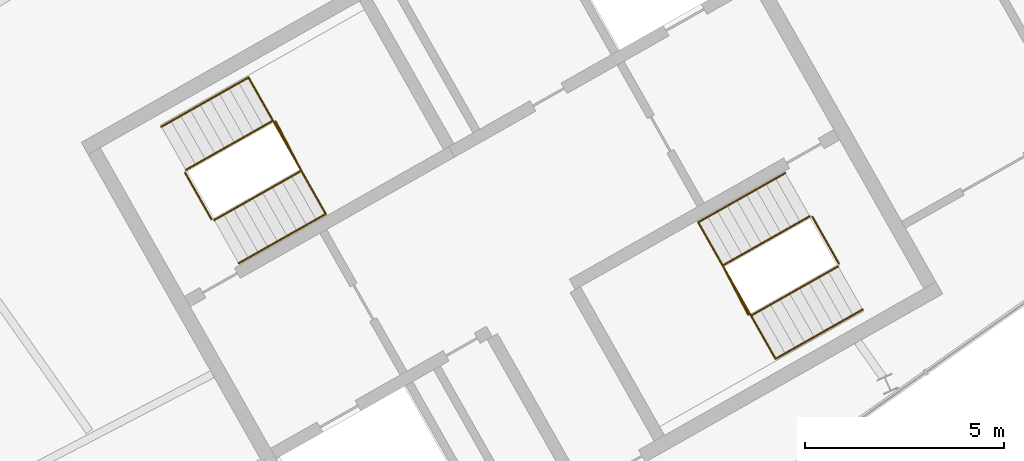
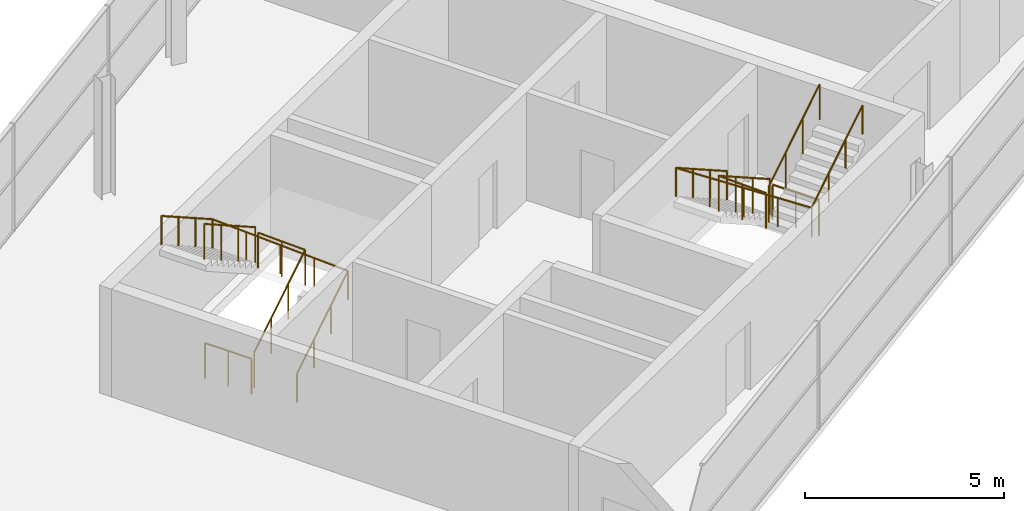
# One storey, part 10 of 10: 8 railings.
"""IFC4 building model written with IfcOpenShell, lengths in metres."""

import ifcopenshell
import ifcopenshell.guid

model = None  # the IFC model being written
_history = None  # IfcOwnerHistory: only IFC2X3 demands one
_inside = {}  # id of a spatial element -> (the spatial element, [elements in it])
_under = {}  # id of a project, library or spatial element -> (it, [spatial elements below it])
_declared = {}  # id of a project -> (the project, [libraries it declares])
_typed = {}  # id of a type object -> (the type object, [elements of that type])
_made_of = {}  # id of a material, layer set ... -> (it, [elements and type objects made of it])


def new_model(schema):
    """Start an empty IFC model of exactly this schema.

    Asked for "IFC4X3", IfcOpenShell would pick the latest addendum, in which some entities
    have other attributes; the version numbers below select the first issue.
    IFC2X3 requires an IfcOwnerHistory on every rooted entity: one is made here for all.
    """
    global model, _history
    if schema == "IFC4X3":
        model = ifcopenshell.file(schema_version=(4, 3, 0, 0))
    else:
        model = ifcopenshell.file(schema=schema)
    _inside.clear()
    _under.clear()
    _declared.clear()
    _typed.clear()
    _made_of.clear()
    _history = None
    if model.schema == "IFC2X3":
        org = make("IfcOrganization", Name="unknown")
        user = make(
            "IfcPersonAndOrganization",
            ThePerson=make("IfcPerson", FamilyName="unknown"),
            TheOrganization=org,
        )
        app = make(
            "IfcApplication",
            ApplicationDeveloper=org,
            Version="unknown",
            ApplicationFullName="unknown",
            ApplicationIdentifier="unknown",
        )
        _history = make(
            "IfcOwnerHistory",
            OwningUser=user,
            OwningApplication=app,
            ChangeAction="ADDED",
            CreationDate=0,
        )
    return model


def make(cls, **values):
    """One entity of the class cls with the attributes given. An attribute that is None is left unset."""
    return model.create_entity(
        cls, **{name: value for name, value in values.items() if value is not None}
    )


def rooted(cls, **values):
    """An entity with a GlobalId (a new one), such as an element, a storey or a relation."""
    return make(cls, GlobalId=ifcopenshell.guid.new(), OwnerHistory=_history, **values)


def si_unit(unit_type, name, prefix=None):
    """IfcSIUnit, for example si_unit("LENGTHUNIT", "METRE", prefix="MILLI")."""
    return make("IfcSIUnit", UnitType=unit_type, Prefix=prefix, Name=name)


def assignment(units):
    """IfcUnitAssignment: the units of a project."""
    return None if units is None else make("IfcUnitAssignment", Units=units)


def point(xyz):
    """IfcCartesianPoint."""
    return None if xyz is None else make("IfcCartesianPoint", Coordinates=xyz)


def direction(xyz):
    """IfcDirection."""
    return None if xyz is None else make("IfcDirection", DirectionRatios=xyz)


def frame(location, z_axis=None, x_axis=None):
    """IfcAxis2Placement3D, a coordinate frame: its origin and axes. An axis left out is left unset."""
    return make(
        "IfcAxis2Placement3D",
        Location=point(location),
        Axis=direction(z_axis),
        RefDirection=direction(x_axis),
    )


def frame_2d(location, x_axis=None):
    """IfcAxis2Placement2D, a coordinate frame in the plane: its origin and x axis."""
    return make(
        "IfcAxis2Placement2D", Location=point(location), RefDirection=direction(x_axis)
    )


def origin():
    """The frame at (0, 0, 0) with its axes left unset."""
    return frame((0.0, 0.0, 0.0))


def origin_2d():
    """The frame at (0, 0) in the plane with its x axis left unset."""
    return frame_2d((0.0, 0.0))


def place(relative_to, where):
    """IfcLocalPlacement: puts the frame where relative to a parent placement (None: the world)."""
    return make(
        "IfcLocalPlacement", PlacementRelTo=relative_to, RelativePlacement=where
    )


def context(
    kind, dimensions, precision=None, world=None, true_north=None, identifier=None
):
    """IfcGeometricRepresentationContext, for example the 3D "Model" context."""
    return make(
        "IfcGeometricRepresentationContext",
        ContextIdentifier=identifier,
        ContextType=kind,
        CoordinateSpaceDimension=dimensions,
        Precision=precision,
        WorldCoordinateSystem=world,
        TrueNorth=true_north,
    )


def subcontext(parent, identifier, kind, view, scale=None):
    """IfcGeometricRepresentationSubContext, for example "Body" below "Model"."""
    return make(
        "IfcGeometricRepresentationSubContext",
        ContextIdentifier=identifier,
        ContextType=kind,
        ParentContext=parent,
        TargetScale=scale,
        TargetView=view,
    )


def project(units=None, contexts=None):
    """IfcProject with its units and contexts."""
    return rooted(
        "IfcProject",
        Name="project",
        RepresentationContexts=contexts,
        UnitsInContext=assignment(units),
    )


def spatial(cls, under=None, at=None, **own):
    """A site, building, storey or space (cls), placed at a placement, below another one or the project."""
    s = rooted(cls, ObjectPlacement=at, **own)
    if under is not None:
        _under.setdefault(under.id(), (under, []))[1].append(s)
    return s


def profile(cls, at=None, kind="AREA", **sizes):
    """A parametric profile (cls). Its sizes go by their IFC names, for example OverallWidth=200.0."""
    return make(cls, ProfileType=kind, Position=at, **sizes)


def circle(**sizes):
    """IfcCircleProfileDef."""
    return profile("IfcCircleProfileDef", **sizes)


def extrude(swept, where, along, depth):
    """IfcExtrudedAreaSolid: the profile swept, set in the frame where, extruded along a direction by depth."""
    return make(
        "IfcExtrudedAreaSolid",
        SweptArea=swept,
        Position=where,
        ExtrudedDirection=direction(along),
        Depth=depth,
    )


def shape(context_of_items, identifier, shape_type, items):
    """IfcShapeRepresentation: the items that make up one representation, for example the "Body"."""
    return make(
        "IfcShapeRepresentation",
        ContextOfItems=context_of_items,
        RepresentationIdentifier=identifier,
        RepresentationType=shape_type,
        Items=items,
    )


def material(Name=None, Category=None):
    """IfcMaterial."""
    return make("IfcMaterial", Name=Name, Category=Category)


def made_of(thing, what):
    """Note that an element or type object is made of a material, layer set ...; save() writes the relation."""
    if what is not None:
        _made_of.setdefault(what.id(), (what, []))[1].append(thing)
    return thing


def type_object(cls, material=None, **own):
    """A type object (cls), such as IfcWallType, which elements share."""
    return made_of(rooted(cls, **own), material)


def element(
    cls,
    number,
    at=None,
    inside=None,
    cuts=None,
    type_object=None,
    material=None,
    context=None,
    identifier="Body",
    shape_type=None,
    held_by="IfcProductDefinitionShape",
    body=None,
    shapes=None,
    **own,
):
    """One element of the class cls, such as IfcWall. Its Tag is "e" and its number.

    at: its placement. inside: the storey or other place that contains it. cuts: it is an
    opening in that element (IfcRelVoidsElement). A single representation is given by context,
    identifier, shape_type and body (its items); several are given by shapes. held_by: the class
    of the entity that holds the representations. save() writes the other relations.
    """
    e = rooted(cls, Tag="e%d" % number, ObjectPlacement=at, **own)
    if body is not None:
        shapes = [shape(context, identifier, shape_type, body)]
    if shapes is not None:
        e.Representation = make(held_by, Representations=shapes)
    if inside is not None:
        _inside.setdefault(inside.id(), (inside, []))[1].append(e)
    if cuts is not None:
        rooted(
            "IfcRelVoidsElement", RelatingBuildingElement=cuts, RelatedOpeningElement=e
        )
    if type_object is not None:
        _typed.setdefault(type_object.id(), (type_object, []))[1].append(e)
    return made_of(e, material)


def aggregate(whole, parts):
    """IfcRelAggregates: a whole, such as a stair, and the parts it consists of."""
    return rooted("IfcRelAggregates", RelatingObject=whole, RelatedObjects=parts)


def save(model, path):
    """Write the relations noted so far, then the file.

    IfcRelAggregates (storeys below a building ...), IfcRelContainedInSpatialStructure (elements
    in a storey), IfcRelDefinesByType, IfcRelAssociatesMaterial and IfcRelDeclares: one each for
    every whole, place, type object, material and project.
    """
    for whole, parts in _under.values():
        aggregate(whole, parts)
    for where, things in _inside.values():
        rooted(
            "IfcRelContainedInSpatialStructure",
            RelatedElements=things,
            RelatingStructure=where,
        )
    for kind, things in _typed.values():
        rooted("IfcRelDefinesByType", RelatedObjects=things, RelatingType=kind)
    for what, things in _made_of.values():
        rooted("IfcRelAssociatesMaterial", RelatedObjects=things, RelatingMaterial=what)
    for by, libraries in _declared.values():
        rooted("IfcRelDeclares", RelatingContext=by, RelatedDefinitions=libraries)
    model.write(path)


model = new_model("IFC4")

# Units and contexts
model_context = context("Model", 3, precision=1e-05, world=origin(), true_north=direction((0.0, 1.0)))
body_context = subcontext(model_context, "Body", "Model", "MODEL_VIEW")
ifc_project = project(units=[si_unit("LENGTHUNIT", "METRE"), si_unit("AREAUNIT", "SQUARE_METRE"), si_unit("VOLUMEUNIT", "CUBIC_METRE"), si_unit("PLANEANGLEUNIT", "RADIAN"), si_unit("MASSUNIT", "GRAM", prefix="KILO")], contexts=[model_context])

# Site, building, storey
site_placement = place(None, origin())
site = spatial("IfcSite", under=ifc_project, at=site_placement, CompositionType="ELEMENT")
building_placement = place(site_placement, origin())
building = spatial("IfcBuilding", under=site, at=building_placement, Name="Binnacle Exchange Tower", CompositionType="ELEMENT")
storey_placement = place(building_placement, frame((0.0, 0.0, 364.89990234375)))
storey = spatial("IfcBuildingStorey", under=building, at=storey_placement, Name="L84", CompositionType="ELEMENT", Elevation=364.89990234375)

# Railings
ifc_material_1 = material(Name="Steel guard rail", Category="steel")
railing_type_1 = type_object("IfcRailingType", Name="STAIR GUARD 1100", PredefinedType="GUARDRAIL", material=ifc_material_1)
railing_1_placement = place(storey_placement, frame((-43.26171875, 39.71728515625, 0.18017578125)))
element("IfcRailing", 1, at=railing_1_placement, inside=storey, type_object=railing_type_1, Name="L84 STA1 stair guard 1", PredefinedType="GUARDRAIL", context=body_context, shape_type="SweptSolid", body=[
    extrude(circle(Radius=0.02392578125, at=origin_2d()), frame((0.0, 0.0, 1.076171875), z_axis=(0.73214499886, 0.414235644391, 0.540714833864), x_axis=(-0.492430705092, 0.870351653461, 0.0)), (0.0, 0.0, 1.0), 2.995849609375),
    extrude(circle(Radius=0.02392578125, at=origin_2d()), frame((2.193359375, 1.240966796875, 2.69580078125), z_axis=(-0.461100321709, 0.887348011391, 0.0), x_axis=(-0.887348011391, -0.461100321709, 0.0)), (0.0, 0.0, 1.0), 1.40087890625),
    extrude(circle(Radius=0.02099609375, at=origin_2d()), origin(), (0.0, 0.0, 1.0), 1.052001953125),
    extrude(circle(Radius=0.02099609375, at=origin_2d()), frame((0.731201171875, 0.41357421875, 0.5400390625)), (0.0, 0.0, 1.0), 1.052001953125),
    extrude(circle(Radius=0.02099609375, at=origin_2d()), frame((1.462158203125, 0.827392578125, 1.079833984375)), (0.0, 0.0, 1.0), 1.052001953125),
    extrude(circle(Radius=0.02099609375, at=origin_2d()), frame((2.193359375, 1.240966796875, 1.619873046875)), (0.0, 0.0, 1.0), 1.052001953125),
    extrude(circle(Radius=0.02099609375, at=origin_2d()), frame((1.870361328125, 1.862548828125, 1.619873046875)), (0.0, 0.0, 1.0), 1.052001953125),
    extrude(circle(Radius=0.02099609375, at=origin_2d()), frame((1.54736328125, 2.484130859375, 1.619873046875)), (0.0, 0.0, 1.0), 1.052001953125),
])
railing_2_placement = place(storey_placement, frame((-41.782470703125, 42.22021484375, 1.97998046875)))
element("IfcRailing", 2, at=railing_2_placement, inside=storey, type_object=railing_type_1, Name="L84 STA1 stair guard 2", PredefinedType="GUARDRAIL", context=body_context, shape_type="SweptSolid", body=[
    extrude(circle(Radius=0.02392578125, at=origin_2d()), frame((0.0, 0.0, 1.076171875), z_axis=(-0.732112736453, -0.41421739085, 0.540772497674), x_axis=(0.492430705092, -0.870351653461, 0.0)), (0.0, 0.0, 1.0), 2.995849609375),
    extrude(circle(Radius=0.02099609375, at=origin_2d()), origin(), (0.0, 0.0, 1.0), 1.052001953125),
    extrude(circle(Radius=0.02099609375, at=origin_2d()), frame((-0.731201171875, -0.41357421875, 0.5400390625)), (0.0, 0.0, 1.0), 1.052001953125),
    extrude(circle(Radius=0.02099609375, at=origin_2d()), frame((-1.462158203125, -0.827392578125, 1.080078125)), (0.0, 0.0, 1.0), 1.052001953125),
    extrude(circle(Radius=0.02099609375, at=origin_2d()), frame((-2.193359375, -1.240966796875, 1.6201171875)), (0.0, 0.0, 1.0), 1.052001953125),
])
railing_3_placement = place(storey_placement, frame((-43.329833984375, 39.736328125, 0.0)))
element("IfcRailing", 3, at=railing_3_placement, inside=storey, type_object=railing_type_1, Name="L84 STA1 stair guard 3", PredefinedType="GUARDRAIL", context=body_context, shape_type="SweptSolid", body=[
    extrude(circle(Radius=0.02392578125, at=origin_2d()), frame((0.0, 0.0, 1.076171875), z_axis=(-0.4924922531, 0.870316827734, 0.0), x_axis=(-0.870316827734, -0.4924922531, 0.0)), (0.0, 0.0, 1.0), 1.349853515625),
    extrude(circle(Radius=0.02099609375, at=origin_2d()), origin(), (0.0, 0.0, 1.0), 1.052001953125),
    extrude(circle(Radius=0.02099609375, at=origin_2d()), frame((-0.33251953125, 0.58740234375, 0.0)), (0.0, 0.0, 1.0), 1.052001953125),
    extrude(circle(Radius=0.02099609375, at=origin_2d()), frame((-0.664794921875, 1.1748046875, 0.0)), (0.0, 0.0, 1.0), 1.052001953125),
])
railing_4_placement = place(storey_placement, frame((-28.265380859375, 39.814453125, 0.18017578125)))
element("IfcRailing", 4, at=railing_4_placement, inside=storey, type_object=railing_type_1, Name="L84 STA2 stair guard 1", PredefinedType="GUARDRAIL", context=body_context, shape_type="SweptSolid", body=[
    extrude(circle(Radius=0.02392578125, at=origin_2d()), frame((0.0, 0.0, 1.076171875), z_axis=(-0.73214499886, -0.414235644391, 0.540714833864), x_axis=(0.492430705092, -0.870351653461, 0.0)), (0.0, 0.0, 1.0), 2.995849609375),
    extrude(circle(Radius=0.02392578125, at=origin_2d()), frame((-2.193359375, -1.240966796875, 2.69580078125), z_axis=(0.461100321709, -0.887348011391, 0.0), x_axis=(0.887348011391, 0.461100321709, 0.0)), (0.0, 0.0, 1.0), 1.40087890625),
    extrude(circle(Radius=0.02099609375, at=origin_2d()), origin(), (0.0, 0.0, 1.0), 1.052001953125),
    extrude(circle(Radius=0.02099609375, at=origin_2d()), frame((-0.731201171875, -0.41357421875, 0.5400390625)), (0.0, 0.0, 1.0), 1.052001953125),
    extrude(circle(Radius=0.02099609375, at=origin_2d()), frame((-1.462158203125, -0.827392578125, 1.079833984375)), (0.0, 0.0, 1.0), 1.052001953125),
    extrude(circle(Radius=0.02099609375, at=origin_2d()), frame((-2.193359375, -1.240966796875, 1.619873046875)), (0.0, 0.0, 1.0), 1.052001953125),
    extrude(circle(Radius=0.02099609375, at=origin_2d()), frame((-1.870361328125, -1.862548828125, 1.619873046875)), (0.0, 0.0, 1.0), 1.052001953125),
    extrude(circle(Radius=0.02099609375, at=origin_2d()), frame((-1.54736328125, -2.484130859375, 1.619873046875)), (0.0, 0.0, 1.0), 1.052001953125),
])
railing_5_placement = place(storey_placement, frame((-29.74462890625, 37.3115234375, 1.97998046875)))
element("IfcRailing", 5, at=railing_5_placement, inside=storey, type_object=railing_type_1, Name="L84 STA2 stair guard 2", PredefinedType="GUARDRAIL", context=body_context, shape_type="SweptSolid", body=[
    extrude(circle(Radius=0.02392578125, at=origin_2d()), frame((0.0, 0.0, 1.076171875), z_axis=(0.732074920478, 0.414242104062, 0.540804761471), x_axis=(-0.492472228755, 0.870328158746, 0.0)), (0.0, 0.0, 1.0), 2.995849609375),
    extrude(circle(Radius=0.02099609375, at=origin_2d()), origin(), (0.0, 0.0, 1.0), 1.052001953125),
    extrude(circle(Radius=0.02099609375, at=origin_2d()), frame((0.73095703125, 0.41357421875, 0.5400390625)), (0.0, 0.0, 1.0), 1.052001953125),
    extrude(circle(Radius=0.02099609375, at=origin_2d()), frame((1.462158203125, 0.827392578125, 1.080078125)), (0.0, 0.0, 1.0), 1.052001953125),
    extrude(circle(Radius=0.02099609375, at=origin_2d()), frame((2.193115234375, 1.240966796875, 1.6201171875)), (0.0, 0.0, 1.0), 1.052001953125),
])
railing_6_placement = place(storey_placement, frame((-28.197265625, 39.795654296875, 0.0)))
element("IfcRailing", 6, at=railing_6_placement, inside=storey, type_object=railing_type_1, Name="L84 STA2 stair guard 3", PredefinedType="GUARDRAIL", context=body_context, shape_type="SweptSolid", body=[
    extrude(circle(Radius=0.02392578125, at=origin_2d()), frame((0.0, 0.0, 1.076171875), z_axis=(0.49241474071, -0.870360685654, 0.0), x_axis=(0.870360685654, 0.49241474071, 0.0)), (0.0, 0.0, 1.0), 1.35009765625),
    extrude(circle(Radius=0.02099609375, at=origin_2d()), origin(), (0.0, 0.0, 1.0), 1.052001953125),
    extrude(circle(Radius=0.02099609375, at=origin_2d()), frame((0.33251953125, -0.58740234375, 0.0)), (0.0, 0.0, 1.0), 1.052001953125),
    extrude(circle(Radius=0.02099609375, at=origin_2d()), frame((0.664794921875, -1.175048828125, 0.0)), (0.0, 0.0, 1.0), 1.052001953125),
])
ifc_material_2 = material(Name="Steel handrail", Category="steel")
railing_type_2 = type_object("IfcRailingType", Name="STAIR HANDRAIL 900", PredefinedType="HANDRAIL", material=ifc_material_2)
railing_7_placement = place(storey_placement, frame((-42.646240234375, 38.62939453125, 0.18017578125)))
element("IfcRailing", 7, at=railing_7_placement, inside=storey, type_object=railing_type_2, Name="L84 STA1 stair handrail 1", PredefinedType="HANDRAIL", context=body_context, shape_type="SweptSolid", body=[
    extrude(circle(Radius=0.02392578125, at=origin_2d()), frame((0.0, 0.0, 0.8759765625), z_axis=(0.73214499886, 0.414235644391, 0.540714833864), x_axis=(-0.492430705092, 0.870351653461, 0.0)), (0.0, 0.0, 1.0), 2.995849609375),
    extrude(circle(Radius=0.02392578125, at=origin_2d()), frame((2.193359375, 1.240966796875, 2.49560546875), z_axis=(-0.491929959296, 0.869444678906, 0.045506762897), x_axis=(-0.87034633103, -0.492440112159, 0.0)), (0.0, 0.0, 1.0), 3.953857421875),
    extrude(circle(Radius=0.02392578125, at=origin_2d()), frame((0.248291015625, 4.6787109375, 2.67578125), z_axis=(-0.73213744765, -0.414149878557, 0.540790750513), x_axis=(0.492357313618, -0.87039317307, 0.0)), (0.0, 0.0, 1.0), 2.995849609375),
    extrude(circle(Radius=0.02099609375, at=origin_2d()), origin(), (0.0, 0.0, 1.0), 0.851806640625),
    extrude(circle(Radius=0.02099609375, at=origin_2d()), frame((0.731201171875, 0.41357421875, 0.5400390625)), (0.0, 0.0, 1.0), 0.851806640625),
    extrude(circle(Radius=0.02099609375, at=origin_2d()), frame((1.462158203125, 0.827392578125, 1.079833984375)), (0.0, 0.0, 1.0), 0.851806640625),
    extrude(circle(Radius=0.02099609375, at=origin_2d()), frame((2.193359375, 1.240966796875, 1.619873046875)), (0.0, 0.0, 1.0), 0.851806640625),
    extrude(circle(Radius=0.02099609375, at=origin_2d()), frame((1.70703125, 2.100341796875, 1.664794921875)), (0.0, 0.0, 1.0), 0.851806640625),
    extrude(circle(Radius=0.02099609375, at=origin_2d()), frame((1.220703125, 2.9599609375, 1.7099609375)), (0.0, 0.0, 1.0), 0.851806640625),
    extrude(circle(Radius=0.02099609375, at=origin_2d()), frame((0.734619140625, 3.8193359375, 1.7548828125)), (0.0, 0.0, 1.0), 0.851806640625),
    extrude(circle(Radius=0.02099609375, at=origin_2d()), frame((0.248291015625, 4.6787109375, 1.7998046875)), (0.0, 0.0, 1.0), 0.851806640625),
    extrude(circle(Radius=0.02099609375, at=origin_2d()), frame((-0.48291015625, 4.26513671875, 2.33984375)), (0.0, 0.0, 1.0), 0.851806640625),
    extrude(circle(Radius=0.02099609375, at=origin_2d()), frame((-1.2138671875, 3.8515625, 2.8798828125)), (0.0, 0.0, 1.0), 0.851806640625),
    extrude(circle(Radius=0.02099609375, at=origin_2d()), frame((-1.945068359375, 3.43798828125, 3.419921875)), (0.0, 0.0, 1.0), 0.851806640625),
])
railing_8_placement = place(storey_placement, frame((-28.880859375, 40.90234375, 0.18017578125)))
element("IfcRailing", 8, at=railing_8_placement, inside=storey, type_object=railing_type_2, Name="L84 STA2 stair handrail 1", PredefinedType="HANDRAIL", context=body_context, shape_type="SweptSolid", body=[
    extrude(circle(Radius=0.02392578125, at=origin_2d()), frame((0.0, 0.0, 0.8759765625), z_axis=(-0.732169713324, -0.414168130355, 0.540733086365), x_axis=(0.492357313618, -0.87039317307, 0.0)), (0.0, 0.0, 1.0), 2.99560546875),
    extrude(circle(Radius=0.02392578125, at=origin_2d()), frame((-2.193359375, -1.24072265625, 2.49560546875), z_axis=(0.49190355138, -0.869459747776, 0.045504319991), x_axis=(0.870361318571, 0.492413622004, 0.0)), (0.0, 0.0, 1.0), 3.9541015625),
    extrude(circle(Radius=0.02392578125, at=origin_2d()), frame((-0.248291015625, -4.6787109375, 2.67578125), z_axis=(0.732112736453, 0.41421739085, 0.540772497674), x_axis=(-0.492430705092, 0.870351653461, 0.0)), (0.0, 0.0, 1.0), 2.995849609375),
    extrude(circle(Radius=0.02099609375, at=origin_2d()), origin(), (0.0, 0.0, 1.0), 0.851806640625),
    extrude(circle(Radius=0.02099609375, at=origin_2d()), frame((-0.731201171875, -0.41357421875, 0.5400390625)), (0.0, 0.0, 1.0), 0.851806640625),
    extrude(circle(Radius=0.02099609375, at=origin_2d()), frame((-1.462158203125, -0.8271484375, 1.079833984375)), (0.0, 0.0, 1.0), 0.851806640625),
    extrude(circle(Radius=0.02099609375, at=origin_2d()), frame((-2.193359375, -1.24072265625, 1.619873046875)), (0.0, 0.0, 1.0), 0.851806640625),
    extrude(circle(Radius=0.02099609375, at=origin_2d()), frame((-1.70703125, -2.10009765625, 1.664794921875)), (0.0, 0.0, 1.0), 0.851806640625),
    extrude(circle(Radius=0.02099609375, at=origin_2d()), frame((-1.220703125, -2.959716796875, 1.7099609375)), (0.0, 0.0, 1.0), 0.851806640625),
    extrude(circle(Radius=0.02099609375, at=origin_2d()), frame((-0.734619140625, -3.8193359375, 1.7548828125)), (0.0, 0.0, 1.0), 0.851806640625),
    extrude(circle(Radius=0.02099609375, at=origin_2d()), frame((-0.248291015625, -4.6787109375, 1.7998046875)), (0.0, 0.0, 1.0), 0.851806640625),
    extrude(circle(Radius=0.02099609375, at=origin_2d()), frame((0.48291015625, -4.26513671875, 2.33984375)), (0.0, 0.0, 1.0), 0.851806640625),
    extrude(circle(Radius=0.02099609375, at=origin_2d()), frame((1.2138671875, -3.851318359375, 2.8798828125)), (0.0, 0.0, 1.0), 0.851806640625),
    extrude(circle(Radius=0.02099609375, at=origin_2d()), frame((1.945068359375, -3.437744140625, 3.419921875)), (0.0, 0.0, 1.0), 0.851806640625),
])

save(model, "model.ifc")
